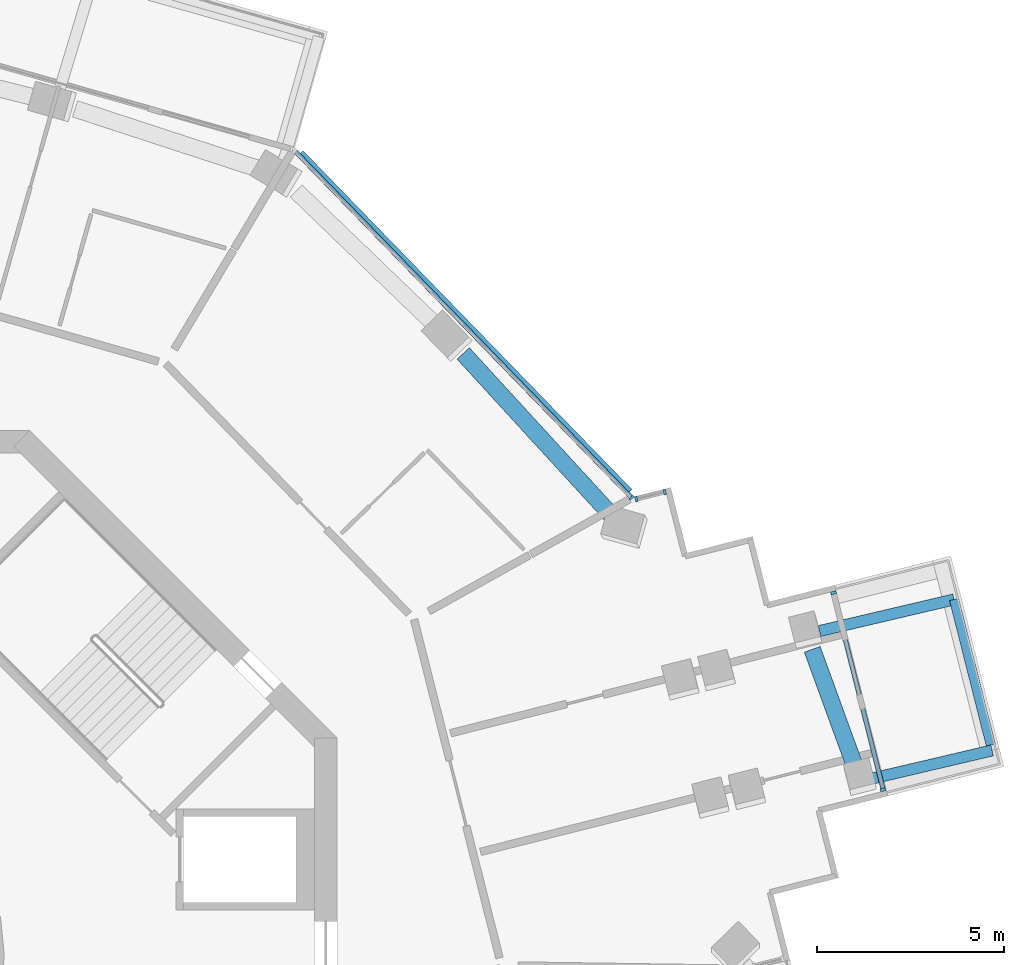
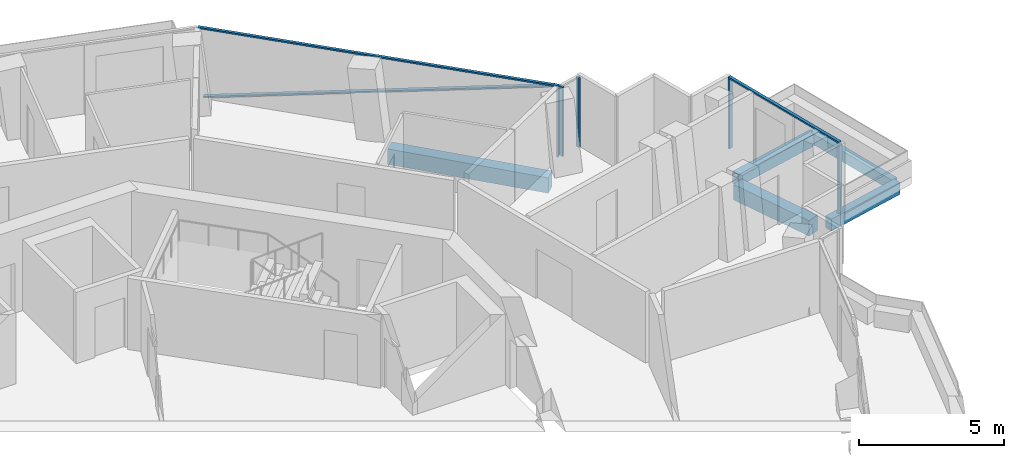
# One storey, part 9 of 24: 8 members, 5 beams, 3 elements without a shape of their own.
"""IFC4 building model written with IfcOpenShell, lengths in metres."""

from ifc_helpers import new_model, si_unit, direction, frame, origin, origin_2d, place, context, subcontext, project, spatial, rectangle, extrude, material, layer, layer_set, material_profile, profile_set, type_object, element, aggregate, save


model = new_model("IFC4")

# Units and contexts
model_context = context("Model", 3, precision=1e-05, world=origin(), true_north=direction((0.0, 1.0)))
body_context = subcontext(model_context, "Body", "Model", "MODEL_VIEW")
ifc_project = project(units=[si_unit("LENGTHUNIT", "METRE"), si_unit("AREAUNIT", "SQUARE_METRE"), si_unit("VOLUMEUNIT", "CUBIC_METRE"), si_unit("PLANEANGLEUNIT", "RADIAN"), si_unit("MASSUNIT", "GRAM", prefix="KILO")], contexts=[model_context])

# Site, building, storey
site_placement = place(None, origin())
site = spatial("IfcSite", under=ifc_project, at=site_placement, CompositionType="ELEMENT")
building_placement = place(site_placement, origin())
building = spatial("IfcBuilding", under=site, at=building_placement, Name="Verdalira Terraces Hotel", CompositionType="ELEMENT")
storey_placement = place(building_placement, frame((0.0, 0.0, 212.5)))
storey = spatial("IfcBuildingStorey", under=building, at=storey_placement, Name="L52", CompositionType="ELEMENT", Elevation=212.5)

# Beams
ifc_material_1 = material(Name="Concrete C40", Category="concrete")
ifc_material_profile_1 = material_profile(ifc_material_1, rectangle(XDim=0.300049, YDim=0.5, at=origin_2d()), Name="RC 300X500")
ifc_profile_set_1 = profile_set([ifc_material_profile_1], Name="Concrete C40")
beam_type_1 = type_object("IfcBeamType", Name="Balcony cantilever beam RC 300X500 C40", PredefinedType="BEAM", material=ifc_profile_set_1)
beam_1_placement = place(storey_placement, frame((28.309814, 4.721191, -0.560059), z_axis=(0.973591042, 0.228299109, 0.0), x_axis=(-0.228299109, 0.973591042, 0.0)))
element("IfcBeam", 1, at=beam_1_placement, inside=storey, type_object=beam_type_1, Name="Balcony cantilever beam R33-1", PredefinedType="BEAM", context=body_context, shape_type="SweptSolid", body=[
    extrude(rectangle(XDim=0.300049, YDim=0.5, at=origin_2d()), origin(), (0.0, 0.0, 1.0), 3.25415),
])
beam_2_placement = place(storey_placement, frame((26.871338, 8.64917, -0.560059), z_axis=(0.973571481, 0.228382512, 0.0), x_axis=(-0.228382512, 0.973571481, 0.0)))
element("IfcBeam", 2, at=beam_2_placement, inside=storey, type_object=beam_type_1, Name="Balcony cantilever beam R33-2", PredefinedType="BEAM", context=body_context, shape_type="SweptSolid", body=[
    extrude(rectangle(XDim=0.300049, YDim=0.5, at=origin_2d()), origin(), (0.0, 0.0, 1.0), 3.687988),
])
ifc_material_2 = material(Name="Concrete C40", Category="concrete")
ifc_material_profile_2 = material_profile(ifc_material_2, rectangle(XDim=0.25, YDim=0.449951, at=origin_2d()), Name="RC 250X450")
ifc_profile_set_2 = profile_set([ifc_material_profile_2], Name="Concrete C40")
beam_type_2 = type_object("IfcBeamType", Name="Balcony edge beam RC 250X450 C40", PredefinedType="BEAM", material=ifc_profile_set_2)
beam_3_placement = place(storey_placement, frame((31.441406, 5.609619, -0.534912), z_axis=(-0.244658643, 0.969609276, 0.0), x_axis=(-0.969609276, -0.244658643, 0.0)))
element("IfcBeam", 3, at=beam_3_placement, inside=storey, type_object=beam_type_2, Name="Balcony edge beam R33-1", PredefinedType="BEAM", context=body_context, shape_type="SweptSolid", body=[
    extrude(rectangle(XDim=0.25, YDim=0.449951, at=origin_2d()), origin(), (0.0, 0.0, 1.0), 4.003418),
])

# Curtain wall, members
ifc_material_3 = material(Name="Clear glass", Category="glass")
ifc_layer_1 = layer(ifc_material_3, 0.14990234375)
ifc_layer_set_1 = layer_set([ifc_layer_1], Name="CW1 curtain wall")
curtain_wall_type_1 = type_object("IfcCurtainWallType", Name="CW1 curtain wall", PredefinedType="NOTDEFINED", material=ifc_layer_set_1)
curtain_wall_1_placement = place(storey_placement, origin())
curtain_wall_1 = element("IfcCurtainWall", 4, at=curtain_wall_1_placement, inside=storey, type_object=curtain_wall_type_1, Name="CW1 curtain wall L52 edge 39", PredefinedType="NOTDEFINED")
ifc_material_4 = material(Name="Terracotta frame", Category="masonry")
ifc_material_profile_3 = material_profile(ifc_material_4, rectangle(XDim=0.060059, YDim=0.149902, at=origin_2d()), Name="MU 60x150")
ifc_profile_set_3 = profile_set([ifc_material_profile_3], Name="Terracotta frame")
member_type_1 = type_object("IfcMemberType", Name="CW1 mullion 60x150", PredefinedType="MULLION", material=ifc_profile_set_3)
member_1_placement = place(storey_placement, frame((21.856445, 12.206055, 0.0), z_axis=(0.0, 0.0, 1.0), x_axis=(-0.696664435, 0.717397146, 0.0)))
member_1 = element("IfcMember", 5, at=member_1_placement, type_object=member_type_1, Name="CW1 mullion", PredefinedType="MULLION", context=body_context, shape_type="SweptSolid", body=[
    extrude(rectangle(XDim=0.060059, YDim=0.149902, at=origin_2d()), origin(), (0.0, 0.0, 1.0), 2.935059),
])
ifc_material_5 = material(Name="Terracotta frame", Category="masonry")
ifc_material_profile_4 = material_profile(ifc_material_5, rectangle(XDim=0.110107, YDim=0.064941, at=origin_2d()), Name="TR 65x110")
ifc_profile_set_4 = profile_set([ifc_material_profile_4], Name="Terracotta frame")
member_type_2 = type_object("IfcMemberType", Name="CW1 transom 65x110", PredefinedType="USERDEFINED", material=ifc_profile_set_4)
member_2_placement = place(storey_placement, frame((21.877441, 12.18457, 2.967529), z_axis=(-0.696669925, 0.717391815, 0.0), x_axis=(-0.717391815, -0.696669925, 0.0)))
member_2 = element("IfcMember", 6, at=member_2_placement, type_object=member_type_2, Name="CW1 transom", ObjectType="TRANSOM", PredefinedType="USERDEFINED", context=body_context, shape_type="SweptSolid", body=[
    extrude(rectangle(XDim=0.110107, YDim=0.064941, at=origin_2d()), origin(), (0.0, 0.0, 1.0), 12.959961),
])

ifc_material_6 = material(Name="Clear glass", Category="glass")
ifc_layer_2 = layer(ifc_material_6, 0.14990234375)
ifc_layer_set_2 = layer_set([ifc_layer_2], Name="CW2 curtain wall")
curtain_wall_type_2 = type_object("IfcCurtainWallType", Name="CW2 curtain wall", PredefinedType="NOTDEFINED", material=ifc_layer_set_2)
curtain_wall_2_placement = place(storey_placement, origin())
curtain_wall_2 = element("IfcCurtainWall", 7, at=curtain_wall_2_placement, inside=storey, type_object=curtain_wall_type_2, Name="CW2 curtain wall L52 edge 38", PredefinedType="NOTDEFINED")
ifc_material_7 = material(Name="Terracotta frame", Category="masonry")
ifc_material_profile_5 = material_profile(ifc_material_7, rectangle(XDim=0.070068, YDim=0.149902, at=origin_2d()), Name="MU 70x150")
ifc_profile_set_5 = profile_set([ifc_material_profile_5], Name="Terracotta frame")
member_type_3 = type_object("IfcMemberType", Name="CW2 mullion 70x150", PredefinedType="MULLION", material=ifc_profile_set_5)
member_3_placement = place(storey_placement, frame((22.739746, 12.363525, 0.0), z_axis=(0.0, 0.0, 1.0), x_axis=(-0.96961637, -0.244630526, 0.0)))
member_3 = element("IfcMember", 8, at=member_3_placement, type_object=member_type_3, Name="CW2 mullion", PredefinedType="MULLION", context=body_context, shape_type="SweptSolid", body=[
    extrude(rectangle(XDim=0.070068, YDim=0.149902, at=origin_2d()), origin(), (0.0, 0.0, 1.0), 2.935059),
])
member_4_placement = place(storey_placement, frame((21.983398, 12.172607, 0.0), z_axis=(0.0, 0.0, 1.0), x_axis=(-0.96961637, -0.244630526, 0.0)))
member_4 = element("IfcMember", 9, at=member_4_placement, type_object=member_type_3, Name="CW2 mullion", PredefinedType="MULLION", context=body_context, shape_type="SweptSolid", body=[
    extrude(rectangle(XDim=0.070068, YDim=0.149902, at=origin_2d()), origin(), (0.0, 0.0, 1.0), 2.935059),
])
aggregate(curtain_wall_2, [member_3, member_4])

ifc_material_8 = material(Name="Clear glass", Category="glass")
ifc_layer_3 = layer(ifc_material_8, 0.14990234375)
ifc_layer_set_3 = layer_set([ifc_layer_3], Name="CW3 curtain wall")
curtain_wall_type_3 = type_object("IfcCurtainWallType", Name="CW3 curtain wall", PredefinedType="NOTDEFINED", material=ifc_layer_set_3)
curtain_wall_3_placement = place(storey_placement, origin())
curtain_wall_3 = element("IfcCurtainWall", 10, at=curtain_wall_3_placement, inside=storey, type_object=curtain_wall_type_3, Name="CW3 curtain wall L52 edge 33", PredefinedType="NOTDEFINED")
ifc_material_9 = material(Name="Terracotta frame", Category="masonry")
ifc_material_profile_6 = material_profile(ifc_material_9, rectangle(XDim=0.080078, YDim=0.149902, at=origin_2d()), Name="MU 80x150")
ifc_profile_set_6 = profile_set([ifc_material_profile_6], Name="Terracotta frame")
member_type_4 = type_object("IfcMemberType", Name="CW3 mullion 80x150", PredefinedType="MULLION", material=ifc_profile_set_6)
member_5_placement = place(storey_placement, frame((28.571777, 4.413574, 0.0), z_axis=(0.0, 0.0, 1.0), x_axis=(-0.244630526, 0.96961637, 0.0)))
member_5 = element("IfcMember", 11, at=member_5_placement, type_object=member_type_4, Name="CW3 mullion", PredefinedType="MULLION", context=body_context, shape_type="SweptSolid", body=[
    extrude(rectangle(XDim=0.080078, YDim=0.149902, at=origin_2d()), origin(), (0.0, 0.0, 1.0), 2.935059),
])
member_6_placement = place(storey_placement, frame((27.24585, 9.668945, 0.0), z_axis=(0.0, 0.0, 1.0), x_axis=(-0.244630526, 0.96961637, 0.0)))
member_6 = element("IfcMember", 12, at=member_6_placement, type_object=member_type_4, Name="CW3 mullion", PredefinedType="MULLION", context=body_context, shape_type="SweptSolid", body=[
    extrude(rectangle(XDim=0.080078, YDim=0.149902, at=origin_2d()), origin(), (0.0, 0.0, 1.0), 2.935059),
])
ifc_material_10 = material(Name="Terracotta frame", Category="masonry")
ifc_material_profile_7 = material_profile(ifc_material_10, rectangle(XDim=0.120117, YDim=0.064941, at=origin_2d()), Name="TR 65x120")
ifc_profile_set_7 = profile_set([ifc_material_profile_7], Name="Terracotta frame")
member_type_5 = type_object("IfcMemberType", Name="CW3 transom 65x120", PredefinedType="USERDEFINED", material=ifc_profile_set_7)
member_7_placement = place(storey_placement, frame((28.581543, 4.374756, 2.967529), z_axis=(-0.244623924, 0.969618036, 0.0), x_axis=(-0.969618036, -0.244623924, 0.0)))
member_7 = element("IfcMember", 13, at=member_7_placement, type_object=member_type_5, Name="CW3 transom", ObjectType="TRANSOM", PredefinedType="USERDEFINED", context=body_context, shape_type="SweptSolid", body=[
    extrude(rectangle(XDim=0.120117, YDim=0.064941, at=origin_2d()), origin(), (0.0, 0.0, 1.0), 5.5),
])
aggregate(curtain_wall_3, [member_5, member_6, member_7])

# Member
ifc_material_11 = material(Name="Terracotta frame", Category="masonry")
ifc_material_profile_8 = material_profile(ifc_material_11, rectangle(XDim=0.149902, YDim=0.060059, at=origin_2d()), Name="GB 60x150")
ifc_profile_set_8 = profile_set([ifc_material_profile_8], Name="Terracotta frame")
member_type_6 = type_object("IfcMemberType", Name="Diagonal glazing bar 60x150", PredefinedType="USERDEFINED", material=ifc_profile_set_8)
member_8_placement = place(storey_placement, frame((21.808838, 12.382812, 2.905273), z_axis=(-0.679141731, 0.699366332, -0.222830078), x_axis=(-0.7174038, -0.696657583, 0.0)))
member_8 = element("IfcMember", 14, at=member_8_placement, type_object=member_type_6, Name="Diagonal glazing bar", ObjectType="GLAZING BAR", PredefinedType="USERDEFINED", context=body_context, shape_type="SweptSolid", body=[
    extrude(rectangle(XDim=0.149902, YDim=0.060059, at=origin_2d()), origin(), (0.0, 0.0, 1.0), 12.904297),
])

aggregate(curtain_wall_1, [member_1, member_2, member_8])

# Beams
ifc_material_12 = material(Name="Concrete C50", Category="concrete")
ifc_material_profile_9 = material_profile(ifc_material_12, rectangle(XDim=0.449951, YDim=0.649902, at=origin_2d()), Name="RC 450X650")
ifc_profile_set_9 = profile_set([ifc_material_profile_9], Name="Concrete C50")
beam_type_3 = type_object("IfcBeamType", Name="Spandrel beam RC 450X650 C50", PredefinedType="SPANDREL", material=ifc_profile_set_9)
beam_4_placement = place(storey_placement, frame((27.842773, 4.963135, -0.63501), z_axis=(-0.342433792, 0.939541962, 0.0), x_axis=(-0.939541962, -0.342433792, 0.0)))
element("IfcBeam", 15, at=beam_4_placement, inside=storey, type_object=beam_type_3, Name="Spandrel beam B17", PredefinedType="SPANDREL", context=body_context, shape_type="SweptSolid", body=[
    extrude(rectangle(XDim=0.449951, YDim=0.649902, at=origin_2d()), origin(), (0.0, 0.0, 1.0), 3.405029),
])
beam_5_placement = place(storey_placement, frame((21.291016, 11.771729, -0.63501), z_axis=(-0.67563144, 0.737239553, 0.0), x_axis=(-0.737239553, -0.67563144, 0.0)))
element("IfcBeam", 16, at=beam_5_placement, inside=storey, type_object=beam_type_3, Name="Spandrel beam B18", PredefinedType="SPANDREL", context=body_context, shape_type="SweptSolid", body=[
    extrude(rectangle(XDim=0.449951, YDim=0.649902, at=origin_2d()), origin(), (0.0, 0.0, 1.0), 5.813477),
])

save(model, "model.ifc")
